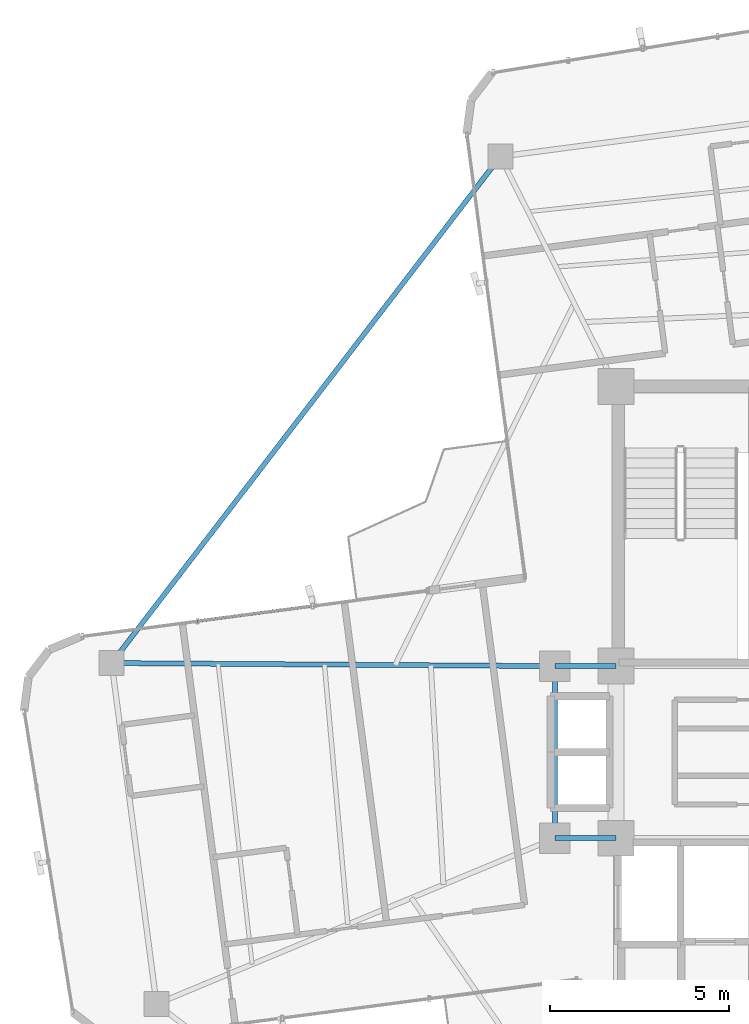
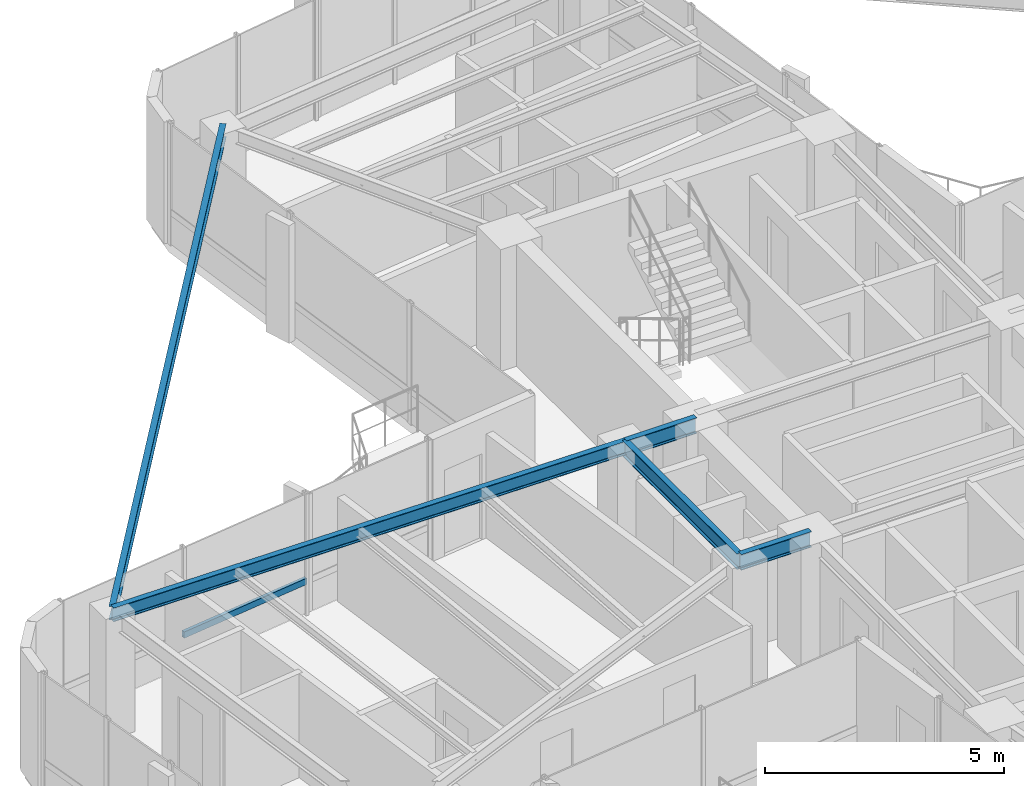
# One storey, part 7 of 21: 5 beams, 1 member, 1 element without a shape of its own.
"""IFC4 building model written with IfcOpenShell, lengths in metres."""

from ifc_helpers import new_model, si_unit, direction, frame, origin, origin_2d, place, context, subcontext, project, spatial, hollow_rectangle, i_section, extrude, source, transform, mapped, material, material_profile, profile_set, type_object, element, aggregate, save


model = new_model("IFC4")

# Units and contexts
model_context = context("Model", 3, precision=1e-05, world=origin(), true_north=direction((0.0, 1.0)))
body_context = subcontext(model_context, "Body", "Model", "MODEL_VIEW")
ifc_project = project(units=[si_unit("LENGTHUNIT", "METRE"), si_unit("AREAUNIT", "SQUARE_METRE"), si_unit("VOLUMEUNIT", "CUBIC_METRE"), si_unit("PLANEANGLEUNIT", "RADIAN"), si_unit("MASSUNIT", "GRAM", prefix="KILO")], contexts=[model_context])

# Site, building, storey
site_placement = place(None, origin())
site = spatial("IfcSite", under=ifc_project, at=site_placement, CompositionType="ELEMENT")
building_placement = place(site_placement, origin())
building = spatial("IfcBuilding", under=site, at=building_placement, Name="Sahyath Konkavel Grand Hotel", CompositionType="ELEMENT")
storey_placement = place(building_placement, frame((0.0, 0.0, 219.89990234375)))
storey = spatial("IfcBuildingStorey", under=building, at=storey_placement, Name="L61", CompositionType="ELEMENT", Elevation=219.89990234375)

# Beams
ifc_material_1 = material(Name="Steel E350", Category="steel")
ifc_material_profile_1 = material_profile(ifc_material_1, i_section(OverallWidth=0.139892578125, OverallDepth=0.39990234375, WebThickness=0.0087890625, FlangeThickness=0.01611328125, FilletRadius=0.013916015625, at=origin_2d()), Name="ISMB 400")
ifc_profile_set_1 = profile_set([ifc_material_profile_1], Name="Steel E350")
beam_type_1 = type_object("IfcBeamType", Name="BM-ISMB400", PredefinedType="BEAM", material=ifc_profile_set_1)
shared_shape_1 = source(origin(), body_context, "Body", "SweptSolid", [
    extrude(i_section(OverallWidth=0.139892578125, OverallDepth=0.39990234375, WebThickness=0.0087890625, FlangeThickness=0.01611328125, FilletRadius=0.013916015625, at=origin_2d()), origin(), (0.0, 0.0, 1.0), 1.699951171875),
])
for number, where, z_axis, x_axis, name in (
    (1, (-5.5, 2.39990234375, 2.91015625), (1.0, 0.0, 0.0), (0.0, 1.0, 0.0), "str:bm:L61:HB-NW"),
    (2, (-5.5, -2.39990234375, 2.91015625), (1.0, 0.0, 0.0), (0.0, 1.0, 0.0), "str:bm:L61:HB-SW"),
):
    element("IfcBeam", number, at=place(storey_placement, frame(where, z_axis=z_axis, x_axis=x_axis)), inside=storey, type_object=beam_type_1, Name=name, PredefinedType="BEAM", context=body_context, shape_type="MappedRepresentation", body=[
        mapped(shared_shape_1, transform((0.0, 0.0, 0.0), scale=1.0)),
    ])
shared_shape_2 = source(origin(), body_context, "Body", "SweptSolid", [
    extrude(i_section(OverallWidth=0.139892578125, OverallDepth=0.39990234375, WebThickness=0.0087890625, FlangeThickness=0.01611328125, FilletRadius=0.013916015625, at=origin_2d()), origin(), (0.0, 0.0, 1.0), 4.7998046875),
])
beam_1_placement = place(storey_placement, frame((-5.5, -2.39990234375, 2.91015625), z_axis=(0.0, 1.0, 0.0), x_axis=(-1.0, 0.0, 0.0)))
element("IfcBeam", 3, at=beam_1_placement, inside=storey, type_object=beam_type_1, Name="str:bm:L61:HB-W", PredefinedType="BEAM", context=body_context, shape_type="MappedRepresentation", body=[
    mapped(shared_shape_2, transform((0.0, 0.0, 0.0), scale=1.0)),
])
ifc_material_profile_2 = material_profile(ifc_material_1, i_section(OverallWidth=0.139892578125, OverallDepth=0.35009765625, WebThickness=0.008056640625, FlangeThickness=0.01416015625, FilletRadius=0.013916015625, at=origin_2d()), Name="ISMB 350")
ifc_profile_set_2 = profile_set([ifc_material_profile_2], Name="Steel E350")
beam_type_2 = type_object("IfcBeamType", Name="BM-ISMB350", PredefinedType="BEAM", material=ifc_profile_set_2)
shared_shape_3 = source(origin(), body_context, "Body", "SweptSolid", [
    extrude(i_section(OverallWidth=0.139892578125, OverallDepth=0.35009765625, WebThickness=0.008056640625, FlangeThickness=0.01416015625, FilletRadius=0.013916015625, at=origin_2d()), origin(), (0.0, 0.0, 1.0), 12.364501953125),
])
beam_2_placement = place(storey_placement, frame((-5.5, 2.39990234375, 2.93505859375), z_axis=(-0.999975983341, 0.006930565717, 0.0), x_axis=(-0.006930565717, -0.999975983341, 0.0)))
element("IfcBeam", 4, at=beam_2_placement, inside=storey, type_object=beam_type_2, Name="L61 Cruciform Radial Girder WA", PredefinedType="BEAM", context=body_context, shape_type="MappedRepresentation", body=[
    mapped(shared_shape_3, transform((0.0, 0.0, 0.0), scale=1.0)),
])
shared_shape_4 = source(origin(), body_context, "Body", "SweptSolid", [
    extrude(i_section(OverallWidth=0.139892578125, OverallDepth=0.35009765625, WebThickness=0.008056640625, FlangeThickness=0.01416015625, FilletRadius=0.013916015625, at=origin_2d()), origin(), (0.0, 0.0, 1.0), 17.806396484375),
])
beam_3_placement = place(storey_placement, frame((-7.0244140625, 16.6123046875, 2.93505859375), z_axis=(-0.608762796777, -0.793352290764, 0.0), x_axis=(0.793352290764, -0.608762796777, 0.0)))
element("IfcBeam", 5, at=beam_3_placement, inside=storey, type_object=beam_type_2, Name="L61 Re-Entrant Tie Beam NW", PredefinedType="BEAM", context=body_context, shape_type="MappedRepresentation", body=[
    mapped(shared_shape_4, transform((0.0, 0.0, 0.0), scale=1.0)),
])

# Curtain wall, member
ifc_material_2 = material(Name="Anodised Bronze Aluminium & Low-E Glazing", Category="aluminium")
curtain_wall_type = type_object("IfcCurtainWallType", Name="CW-ZONE4", PredefinedType="NOTDEFINED", material=ifc_material_2)
curtain_wall_placement = place(storey_placement, origin())
curtain_wall = element("IfcCurtainWall", 6, at=curtain_wall_placement, inside=storey, type_object=curtain_wall_type, Name="L61 Unitised Curtain Wall F16", PredefinedType="NOTDEFINED")
ifc_material_3 = material(Name="Anodised Bronze Aluminium", Category="aluminium")
ifc_material_profile_3 = material_profile(ifc_material_3, hollow_rectangle(XDim=0.080078125, YDim=0.159912109375, WallThickness=0.006103515625, at=origin_2d()), Name="RHS 160x80x6")
ifc_profile_set_3 = profile_set([ifc_material_profile_3], Name="Anodised Bronze Aluminium")
member_type = type_object("IfcMemberType", Name="CW-TRN-160", PredefinedType="USERDEFINED", material=ifc_profile_set_3)
shared_shape_5 = source(origin(), body_context, "Body", "SweptSolid", [
    extrude(hollow_rectangle(XDim=0.080078125, YDim=0.159912109375, WallThickness=0.006103515625, at=origin_2d()), origin(), (0.0, 0.0, 1.0), 3.23681640625),
])
member_placement = place(storey_placement, frame((-12.260498046875, 4.08056640625, 0.85009765625), z_axis=(-0.991440684158, -0.130557917404, 0.0), x_axis=(0.130557917404, -0.991440684158, 0.0)))
member = element("IfcMember", 7, at=member_placement, type_object=member_type, Name="L61 Curtain Wall Transom F16-1-spandrel", ObjectType="TRANSOM", PredefinedType="USERDEFINED", context=body_context, shape_type="MappedRepresentation", body=[
    mapped(shared_shape_5, transform((0.0, 0.0, 0.0), scale=1.0)),
])
aggregate(curtain_wall, [member])

save(model, "model.ifc")
